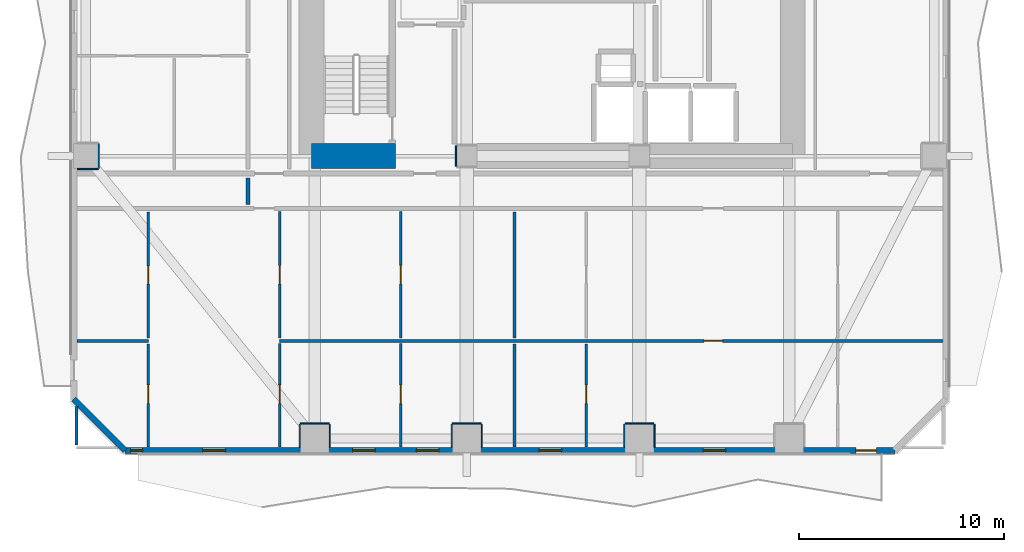
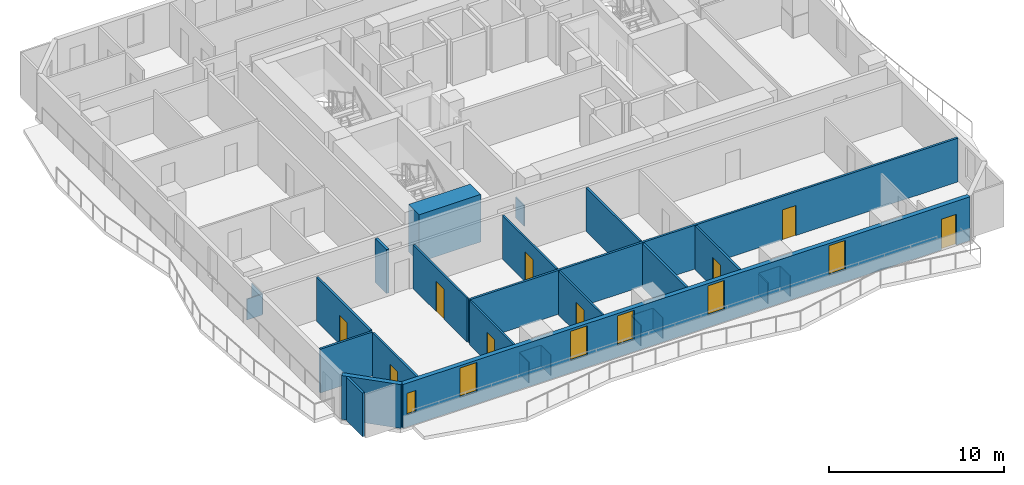
# One storey, part 2 of 11: 28 walls, 9 doors, 6 windows, 15 openings.
"""IFC4 building model written with IfcOpenShell, lengths in metres."""

from ifc_helpers import new_model, si_unit, direction, frame, frame_2d, origin, place, context, subcontext, project, spatial, rectangle, extrude, material, layer, layer_set, type_object, element, fill, save


model = new_model("IFC4")

# Units and contexts
model_context = context("Model", 3, precision=1e-05, world=origin(), true_north=direction((0.0, 1.0)))
body_context = subcontext(model_context, "Body", "Model", "MODEL_VIEW")
ifc_project = project(units=[si_unit("LENGTHUNIT", "METRE"), si_unit("AREAUNIT", "SQUARE_METRE"), si_unit("VOLUMEUNIT", "CUBIC_METRE"), si_unit("PLANEANGLEUNIT", "RADIAN"), si_unit("MASSUNIT", "GRAM", prefix="KILO")], contexts=[model_context])

# Site, building, storey
site_placement = place(None, origin())
site = spatial("IfcSite", under=ifc_project, at=site_placement, CompositionType="ELEMENT")
building_placement = place(site_placement, origin())
building = spatial("IfcBuilding", under=site, at=building_placement, Name="Solanera Arch Residences", CompositionType="ELEMENT")
storey_placement = place(building_placement, frame((0.0, 0.0, 35.280029296875)))
storey = spatial("IfcBuildingStorey", under=building, at=storey_placement, Name="L09", CompositionType="ELEMENT", Elevation=35.280029296875)

# Walls
ifc_material_1 = material(Name="Fire-Rated Gypsum Stud Partition", Category="gypsum")
ifc_layer_1 = layer(ifc_material_1, 0.06005859375)
ifc_layer_set_1 = layer_set([ifc_layer_1], Name="Fire-Rated Gypsum Stud Partition")
wall_type_1 = type_object("IfcWallType", Name="Column Acoustic Furring Wall 60", PredefinedType="PARTITIONING", material=ifc_layer_set_1)
wall_1_placement = place(storey_placement, frame((20.26806640625, 21.5, 0.0), z_axis=(0.0, 0.0, 1.0), x_axis=(0.0, 1.0, 0.0)))
element("IfcWall", 1, at=wall_1_placement, inside=storey, type_object=wall_type_1, Name="L09 Column Furring 1W", PredefinedType="PARTITIONING", context=body_context, shape_type="SweptSolid", body=[
    extrude(rectangle(XDim=1.0, YDim=0.06005859375, at=frame_2d((0.5, 0.0))), origin(), (0.0, 0.0, 1.0), 1.449951171875),
])
wall_2_placement = place(storey_placement, frame((12.699951171875, 8.98193359375, 0.0), z_axis=(0.0, 0.0, 1.0), x_axis=(1.0, 0.0, 0.0)))
element("IfcWall", 2, at=wall_2_placement, inside=storey, type_object=wall_type_1, Name="L09 Column Furring 9N", PredefinedType="PARTITIONING", context=body_context, shape_type="SweptSolid", body=[
    extrude(rectangle(XDim=1.400146484375, YDim=0.06005859375, at=frame_2d((0.7001953125, 0.0))), origin(), (0.0, 0.0, 1.0), 1.449951171875),
])
for number, where, z_axis, x_axis, name in (
    (3, (12.66796875, 7.830078125, 0.0), (0.0, 0.0, 1.0), (0.0, 1.0, 0.0), "L09 Column Furring 9W"),
    (4, (14.132080078125, 7.830078125, 0.0), (0.0, 0.0, 1.0), (0.0, 1.0, 0.0), "L09 Column Furring 9E"),
):
    element("IfcWall", number, at=place(storey_placement, frame(where, z_axis=z_axis, x_axis=x_axis)), inside=storey, type_object=wall_type_1, Name=name, PredefinedType="PARTITIONING", context=body_context, shape_type="SweptSolid", body=[
        extrude(rectangle(XDim=1.119873046875, YDim=0.06005859375, at=frame_2d((0.56005859375, 0.0))), origin(), (0.0, 0.0, 1.0), 1.449951171875),
    ])
wall_3_placement = place(storey_placement, frame((20.10009765625, 8.98193359375, 0.0), z_axis=(0.0, 0.0, 1.0), x_axis=(1.0, 0.0, 0.0)))
element("IfcWall", 5, at=wall_3_placement, inside=storey, type_object=wall_type_1, Name="L09 Column Furring 11N", PredefinedType="PARTITIONING", context=body_context, shape_type="SweptSolid", body=[
    extrude(rectangle(XDim=1.39990234375, YDim=0.06005859375, at=frame_2d((0.699951171875, 0.0))), origin(), (0.0, 0.0, 1.0), 1.449951171875),
])
for number, where, z_axis, x_axis, name in (
    (6, (20.068115234375, 7.830078125, 0.0), (0.0, 0.0, 1.0), (0.0, 1.0, 0.0), "L09 Column Furring 11W"),
    (7, (21.531982421875, 7.830078125, 0.0), (0.0, 0.0, 1.0), (0.0, 1.0, 0.0), "L09 Column Furring 11E"),
):
    element("IfcWall", number, at=place(storey_placement, frame(where, z_axis=z_axis, x_axis=x_axis)), inside=storey, type_object=wall_type_1, Name=name, PredefinedType="PARTITIONING", context=body_context, shape_type="SweptSolid", body=[
        extrude(rectangle(XDim=1.119873046875, YDim=0.06005859375, at=frame_2d((0.56005859375, 0.0))), origin(), (0.0, 0.0, 1.0), 1.449951171875),
    ])
wall_4_placement = place(storey_placement, frame((28.5, 8.98193359375, 0.0), z_axis=(0.0, 0.0, 1.0), x_axis=(1.0, 0.0, 0.0)))
element("IfcWall", 8, at=wall_4_placement, inside=storey, type_object=wall_type_1, Name="L09 Column Furring 13N", PredefinedType="PARTITIONING", context=body_context, shape_type="SweptSolid", body=[
    extrude(rectangle(XDim=1.39990234375, YDim=0.06005859375, at=frame_2d((0.699951171875, 0.0))), origin(), (0.0, 0.0, 1.0), 1.449951171875),
])
for number, where, z_axis, x_axis, name in (
    (9, (28.468017578125, 7.830078125, 0.0), (0.0, 0.0, 1.0), (0.0, 1.0, 0.0), "L09 Column Furring 13W"),
    (10, (29.931884765625, 7.830078125, 0.0), (0.0, 0.0, 1.0), (0.0, 1.0, 0.0), "L09 Column Furring 13E"),
):
    element("IfcWall", number, at=place(storey_placement, frame(where, z_axis=z_axis, x_axis=x_axis)), inside=storey, type_object=wall_type_1, Name=name, PredefinedType="PARTITIONING", context=body_context, shape_type="SweptSolid", body=[
        extrude(rectangle(XDim=1.119873046875, YDim=0.06005859375, at=frame_2d((0.56005859375, 0.0))), origin(), (0.0, 0.0, 1.0), 1.449951171875),
    ])
wall_5_placement = place(storey_placement, frame((1.830078125, 21.367919921875, 0.0), z_axis=(0.0, 0.0, 1.0), x_axis=(1.0, 0.0, 0.0)))
element("IfcWall", 11, at=wall_5_placement, inside=storey, type_object=wall_type_1, Name="L09 Column Furring 17S", PredefinedType="PARTITIONING", context=body_context, shape_type="SweptSolid", body=[
    extrude(rectangle(XDim=1.02001953125, YDim=0.06005859375, at=frame_2d((0.510009765625, 0.0))), origin(), (0.0, 0.0, 1.0), 1.449951171875),
])
wall_6_placement = place(storey_placement, frame((2.882080078125, 21.39990234375, 0.0), z_axis=(0.0, 0.0, 1.0), x_axis=(0.0, 1.0, 0.0)))
element("IfcWall", 12, at=wall_6_placement, inside=storey, type_object=wall_type_1, Name="L09 Column Furring 17E", PredefinedType="PARTITIONING", context=body_context, shape_type="SweptSolid", body=[
    extrude(rectangle(XDim=1.2001953125, YDim=0.06005859375, at=frame_2d((0.60009765625, 0.0))), origin(), (0.0, 0.0, 1.0), 1.449951171875),
])
ifc_material_2 = material(Name="Concrete C55/67 (f'c = 60 MPa)", Category="concrete")
ifc_layer_2 = layer(ifc_material_2, 1.199951171875)
ifc_layer_set_2 = layer_set([ifc_layer_2], Name="Concrete C55/67 (f'c = 60 MPa)")
wall_type_2 = type_object("IfcWallType", Name="Core Shear Wall CW-1200", PredefinedType="SHEAR", material=ifc_layer_set_2)
wall_7_placement = place(storey_placement, frame((13.239990234375, 22.0, 0.0), z_axis=(0.0, 0.0, 1.0), x_axis=(1.0, 0.0, 0.0)))
element("IfcWall", 13, at=wall_7_placement, inside=storey, type_object=wall_type_2, Name="L09 South-West Core Shear Wall", PredefinedType="SHEAR", context=body_context, shape_type="SweptSolid", body=[
    extrude(rectangle(XDim=4.080078125, YDim=1.199951171875, at=frame_2d((2.0400390625, 0.0))), origin(), (0.0, 0.0, 1.0), 3.320068359375),
])
ifc_material_3 = material(Name="Autoclaved Aerated Concrete Blockwork", Category="masonry")
ifc_layer_3 = layer(ifc_material_3, 0.179931640625)
ifc_layer_set_3 = layer_set([ifc_layer_3], Name="Autoclaved Aerated Concrete Blockwork")
wall_type_3 = type_object("IfcWallType", Name="Corridor Fire Partition 180", PredefinedType="PARTITIONING", material=ifc_layer_set_3)
wall_8_placement = place(storey_placement, frame((10.14990234375, 19.637939453125, 0.0), z_axis=(0.0, 0.0, 1.0), x_axis=(0.0, 1.0, 0.0)))
element("IfcWall", 14, at=wall_8_placement, inside=storey, type_object=wall_type_3, Name="L09 Interior Partition V8 1", PredefinedType="PARTITIONING", context=body_context, shape_type="SweptSolid", body=[
    extrude(rectangle(XDim=1.2939453125, YDim=0.179931640625, at=frame_2d((0.64697265625, 0.0))), origin(), (0.0, 0.0, 1.0), 3.06005859375),
])

# Wall, openings, door, windows
ifc_material_4 = material(Name="Precast Concrete C35/45", Category="concrete")
ifc_layer_4 = layer(ifc_material_4, 0.300048828125)
ifc_layer_set_4 = layer_set([ifc_layer_4], Name="Precast Concrete C35/45")
wall_type_4 = type_object("IfcWallType", Name="Exterior Wall Precast Masonry-Frame 300", PredefinedType="STANDARD", material=ifc_layer_set_4)
wall_9_placement = place(storey_placement, frame((41.635009765625, 7.6650390625, 0.0), z_axis=(0.0, 0.0, 1.0), x_axis=(-1.0, 0.0, 0.0)))
wall_9 = element("IfcWall", 15, at=wall_9_placement, inside=storey, type_object=wall_type_4, Name="L09 Tower Exterior Precast Masonry-Frame Wall S", PredefinedType="STANDARD", context=body_context, shape_type="SweptSolid", body=[
    extrude(rectangle(XDim=37.469970703125, YDim=0.300048828125, at=frame_2d((18.73486328125, 0.0))), origin(), (0.0, 0.0, 1.0), 3.06005859375),
])
opening_1_placement = place(wall_9_placement, frame((0.90087890625, 0.0, 0.0)))
opening_1 = element("IfcOpeningElement", 16, at=opening_1_placement, cuts=wall_9, Name="Opening DB-01", PredefinedType="OPENING", context=body_context, shape_type="SweptSolid", body=[
    extrude(rectangle(XDim=1.0, YDim=2.14990234375, at=frame_2d((0.5, 1.074951171875))), frame((0.0, 0.159912109375, 0.0), z_axis=(0.0, -1.0, 0.0), x_axis=(1.0, 0.0, 0.0)), (0.0, 0.0, 1.0), 0.32),
])
opening_2_placement = place(wall_9_placement, frame((32.594970703125, 0.0, 0.85009765625)))
opening_2 = element("IfcOpeningElement", 17, at=opening_2_placement, cuts=wall_9, Name="Opening W-11", PredefinedType="OPENING", context=body_context, shape_type="SweptSolid", body=[
    extrude(rectangle(XDim=1.10009765625, YDim=2.050048828125, at=frame_2d((0.550048828125, 1.02490234375))), frame((0.0, 0.159912109375, 0.0), z_axis=(0.0, -1.0, 0.0), x_axis=(1.0, 0.0, 0.0)), (0.0, 0.0, 1.0), 0.32),
])
opening_3_placement = place(wall_9_placement, frame((36.62109375, 0.0, 0.85009765625)))
opening_3 = element("IfcOpeningElement", 18, at=opening_3_placement, cuts=wall_9, Name="Opening W-14", PredefinedType="OPENING", context=body_context, shape_type="SweptSolid", body=[
    extrude(rectangle(XDim=0.580078125, YDim=1.5, at=frame_2d((0.2900390625, 0.75))), frame((0.0, 0.159912109375, 0.0), z_axis=(0.0, -1.0, 0.0), x_axis=(1.0, 0.0, 0.0)), (0.0, 0.0, 1.0), 0.32),
])
opening_4_placement = place(wall_9_placement, frame((25.294921875, 0.0, 0.85009765625)))
opening_4 = element("IfcOpeningElement", 19, at=opening_4_placement, cuts=wall_9, Name="Opening W-11", PredefinedType="OPENING", context=body_context, shape_type="SweptSolid", body=[
    extrude(rectangle(XDim=1.10009765625, YDim=2.050048828125, at=frame_2d((0.550048828125, 1.02490234375))), frame((0.0, 0.159912109375, 0.0), z_axis=(0.0, -1.0, 0.0), x_axis=(1.0, 0.0, 0.0)), (0.0, 0.0, 1.0), 0.32),
])
opening_5_placement = place(wall_9_placement, frame((22.195068359375, 0.0, 0.85009765625)))
opening_5 = element("IfcOpeningElement", 20, at=opening_5_placement, cuts=wall_9, Name="Opening W-11", PredefinedType="OPENING", context=body_context, shape_type="SweptSolid", body=[
    extrude(rectangle(XDim=1.10009765625, YDim=2.050048828125, at=frame_2d((0.550048828125, 1.02490234375))), frame((0.0, 0.159912109375, 0.0), z_axis=(0.0, -1.0, 0.0), x_axis=(1.0, 0.0, 0.0)), (0.0, 0.0, 1.0), 0.32),
])
opening_6_placement = place(wall_9_placement, frame((8.235107421875, 0.0, 0.85009765625)))
opening_6 = element("IfcOpeningElement", 21, at=opening_6_placement, cuts=wall_9, Name="Opening W-11", PredefinedType="OPENING", context=body_context, shape_type="SweptSolid", body=[
    extrude(rectangle(XDim=1.10009765625, YDim=2.050048828125, at=frame_2d((0.550048828125, 1.02490234375))), frame((0.0, 0.159912109375, 0.0), z_axis=(0.0, -1.0, 0.0), x_axis=(1.0, 0.0, 0.0)), (0.0, 0.0, 1.0), 0.32),
])
opening_7_placement = place(wall_9_placement, frame((16.218994140625, 0.0, 0.85009765625)))
opening_7 = element("IfcOpeningElement", 22, at=opening_7_placement, cuts=wall_9, Name="Opening W-11", PredefinedType="OPENING", context=body_context, shape_type="SweptSolid", body=[
    extrude(rectangle(XDim=1.10009765625, YDim=2.050048828125, at=frame_2d((0.550048828125, 1.02490234375))), frame((0.0, 0.159912109375, 0.0), z_axis=(0.0, -1.0, 0.0), x_axis=(1.0, 0.0, 0.0)), (0.0, 0.0, 1.0), 0.32),
])
ifc_material_5 = material(Name="Anodised Aluminium Alloy 6063-T6", Category="aluminium")
door_type_1 = type_object("IfcDoorType", Name="Glazed Balcony Swing Door DB-01", OperationType="NOTDEFINED", PredefinedType="DOOR", material=ifc_material_5)
door_1_placement = place(opening_1_placement, origin())
door_1 = element("IfcDoor", 23, at=door_1_placement, inside=storey, type_object=door_type_1, Name="DR-L09-OUT-01", OperationType="SINGLE_SWING_LEFT", OverallHeight=2.14990234375, OverallWidth=1.0, PredefinedType="DOOR", context=body_context, shape_type="SweptSolid", body=[
    extrude(rectangle(XDim=1.0, YDim=2.14990234375, at=frame_2d((0.5, 1.074951171875))), frame((0.0, 0.02490234375, 0.0), z_axis=(0.0, -1.0, 0.0), x_axis=(1.0, 0.0, 0.0)), (0.0, 0.0, 1.0), 0.050048828125),
])
fill(opening_1, door_1)
ifc_material_6 = material(Name="Double Glazed Low-E Laminated Glass", Category="glass")
window_type_1 = type_object("IfcWindowType", Name="Punched Window W-11", PartitioningType="SINGLE_PANEL", PredefinedType="WINDOW", material=ifc_material_6)
window_1_placement = place(opening_2_placement, origin())
window_1 = element("IfcWindow", 24, at=window_1_placement, inside=storey, type_object=window_type_1, Name="L09 0901-LIV Punched Window", OverallHeight=2.050048828125, OverallWidth=1.10009765625, PartitioningType="SINGLE_PANEL", PredefinedType="WINDOW", context=body_context, shape_type="SweptSolid", body=[
    extrude(rectangle(XDim=1.10009765625, YDim=2.050048828125, at=frame_2d((0.550048828125, 1.02490234375))), frame((0.0, 0.030029296875, 0.0), z_axis=(0.0, -1.0, 0.0), x_axis=(1.0, 0.0, 0.0)), (0.0, 0.0, 1.0), 0.06005859375),
])
fill(opening_2, window_1)
window_2_placement = place(opening_4_placement, origin())
window_2 = element("IfcWindow", 25, at=window_2_placement, inside=storey, type_object=window_type_1, Name="L09 0901-BR2 Punched Window", OverallHeight=2.050048828125, OverallWidth=1.10009765625, PartitioningType="SINGLE_PANEL", PredefinedType="WINDOW", context=body_context, shape_type="SweptSolid", body=[
    extrude(rectangle(XDim=1.10009765625, YDim=2.050048828125, at=frame_2d((0.550048828125, 1.02490234375))), frame((0.0, 0.030029296875, 0.0), z_axis=(0.0, -1.0, 0.0), x_axis=(1.0, 0.0, 0.0)), (0.0, 0.0, 1.0), 0.06005859375),
])
fill(opening_4, window_2)
window_3_placement = place(opening_5_placement, origin())
window_3 = element("IfcWindow", 26, at=window_3_placement, inside=storey, type_object=window_type_1, Name="L09 0901-BR3 Punched Window", OverallHeight=2.050048828125, OverallWidth=1.10009765625, PartitioningType="SINGLE_PANEL", PredefinedType="WINDOW", context=body_context, shape_type="SweptSolid", body=[
    extrude(rectangle(XDim=1.10009765625, YDim=2.050048828125, at=frame_2d((0.550048828125, 1.02490234375))), frame((0.0, 0.030029296875, 0.0), z_axis=(0.0, -1.0, 0.0), x_axis=(1.0, 0.0, 0.0)), (0.0, 0.0, 1.0), 0.06005859375),
])
fill(opening_5, window_3)
window_4_placement = place(opening_6_placement, origin())
window_4 = element("IfcWindow", 27, at=window_4_placement, inside=storey, type_object=window_type_1, Name="L09 0902-LIV Punched Window", OverallHeight=2.050048828125, OverallWidth=1.10009765625, PartitioningType="SINGLE_PANEL", PredefinedType="WINDOW", context=body_context, shape_type="SweptSolid", body=[
    extrude(rectangle(XDim=1.10009765625, YDim=2.050048828125, at=frame_2d((0.550048828125, 1.02490234375))), frame((0.0, 0.030029296875, 0.0), z_axis=(0.0, -1.0, 0.0), x_axis=(1.0, 0.0, 0.0)), (0.0, 0.0, 1.0), 0.06005859375),
])
fill(opening_6, window_4)
window_5_placement = place(opening_7_placement, origin())
window_5 = element("IfcWindow", 28, at=window_5_placement, inside=storey, type_object=window_type_1, Name="L09 0902-BR1 Punched Window", OverallHeight=2.050048828125, OverallWidth=1.10009765625, PartitioningType="SINGLE_PANEL", PredefinedType="WINDOW", context=body_context, shape_type="SweptSolid", body=[
    extrude(rectangle(XDim=1.10009765625, YDim=2.050048828125, at=frame_2d((0.550048828125, 1.02490234375))), frame((0.0, 0.030029296875, 0.0), z_axis=(0.0, -1.0, 0.0), x_axis=(1.0, 0.0, 0.0)), (0.0, 0.0, 1.0), 0.06005859375),
])
fill(opening_7, window_5)
ifc_material_7 = material(Name="Double Glazed Low-E Laminated Glass", Category="glass")
window_type_2 = type_object("IfcWindowType", Name="Punched Window W-14", PartitioningType="SINGLE_PANEL", PredefinedType="WINDOW", material=ifc_material_7)
window_6_placement = place(opening_3_placement, origin())
window_6 = element("IfcWindow", 29, at=window_6_placement, inside=storey, type_object=window_type_2, Name="L09 0901-BR1 Punched Window", OverallHeight=1.5, OverallWidth=0.580078125, PartitioningType="SINGLE_PANEL", PredefinedType="WINDOW", context=body_context, shape_type="SweptSolid", body=[
    extrude(rectangle(XDim=0.580078125, YDim=1.5, at=frame_2d((0.2900390625, 0.75))), frame((0.0, 0.030029296875, 0.0), z_axis=(0.0, -1.0, 0.0), x_axis=(1.0, 0.0, 0.0)), (0.0, 0.0, 1.0), 0.06005859375),
])
fill(opening_3, window_6)

# Wall
wall_10_placement = place(storey_placement, frame((4.1650390625, 7.6650390625, 0.0), z_axis=(0.0, 0.0, 1.0), x_axis=(-0.707106781187, 0.707106781187, 0.0)))
element("IfcWall", 30, at=wall_10_placement, inside=storey, type_object=wall_type_4, Name="L09 Tower Exterior Precast Masonry-Frame Wall CH7", PredefinedType="STANDARD", context=body_context, shape_type="SweptSolid", body=[
    extrude(rectangle(XDim=3.53564453125, YDim=0.300048828125, at=frame_2d((1.767822265625, 0.0))), origin(), (0.0, 0.0, 1.0), 3.06005859375),
])

# Wall, opening, door
ifc_material_8 = material(Name="Fire-Rated Gypsum Stud Partition", Category="gypsum")
ifc_layer_5 = layer(ifc_material_8, 0.1201171875)
ifc_layer_set_5 = layer_set([ifc_layer_5], Name="Fire-Rated Gypsum Stud Partition")
wall_type_5 = type_object("IfcWallType", Name="Unit Drywall Partition 120", PredefinedType="PARTITIONING", material=ifc_layer_set_5)
wall_11_placement = place(storey_placement, frame((11.68798828125, 7.826904296875, 0.0), z_axis=(0.0, 0.0, 1.0), x_axis=(0.0, 1.0, 0.0)))
wall_11 = element("IfcWall", 31, at=wall_11_placement, inside=storey, type_object=wall_type_5, Name="L09 Interior Partition V22 1", PredefinedType="PARTITIONING", context=body_context, shape_type="SweptSolid", body=[
    extrude(rectangle(XDim=5.03515625, YDim=0.1201171875, at=frame_2d((2.517578125, 0.0))), origin(), (0.0, 0.0, 1.0), 3.06005859375),
])
opening_8_placement = place(wall_11_placement, frame((2.135986328125, 0.0, 0.0)))
opening_8 = element("IfcOpeningElement", 32, at=opening_8_placement, cuts=wall_11, Name="Opening DI-03", PredefinedType="OPENING", context=body_context, shape_type="SweptSolid", body=[
    extrude(rectangle(XDim=0.89990234375, YDim=2.10009765625, at=frame_2d((0.449951171875, 1.050048828125))), frame((0.0, 0.070068359375, 0.0), z_axis=(0.0, -1.0, 0.0), x_axis=(1.0, 0.0, 0.0)), (0.0, 0.0, 1.0), 0.1401),
])
ifc_material_9 = material(Name="Fire-Rated Architectural Hardwood", Category="wood")
door_type_2 = type_object("IfcDoorType", Name="Bedroom Swing Door DI-03", OperationType="NOTDEFINED", PredefinedType="DOOR", material=ifc_material_9)
door_2_placement = place(opening_8_placement, origin())
door_2 = element("IfcDoor", 33, at=door_2_placement, inside=storey, type_object=door_type_2, Name="DR-L09-IN-020", OperationType="SINGLE_SWING_LEFT", OverallHeight=2.10009765625, OverallWidth=0.89990234375, PredefinedType="DOOR", context=body_context, shape_type="SweptSolid", body=[
    extrude(rectangle(XDim=0.89990234375, YDim=2.10009765625, at=frame_2d((0.449951171875, 1.050048828125))), frame((0.0, 0.02490234375, 0.0), z_axis=(0.0, -1.0, 0.0), x_axis=(1.0, 0.0, 0.0)), (0.0, 0.0, 1.0), 0.050048828125),
])
fill(opening_8, door_2)

wall_12_placement = place(storey_placement, frame((11.68798828125, 13.137939453125, 0.0), z_axis=(0.0, 0.0, 1.0), x_axis=(0.0, 1.0, 0.0)))
wall_12 = element("IfcWall", 34, at=wall_12_placement, inside=storey, type_object=wall_type_5, Name="L09 Interior Partition V22 2", PredefinedType="PARTITIONING", context=body_context, shape_type="SweptSolid", body=[
    extrude(rectangle(XDim=6.154052734375, YDim=0.1201171875, at=frame_2d((3.0771484375, 0.0))), origin(), (0.0, 0.0, 1.0), 3.06005859375),
])
opening_9_placement = place(wall_12_placement, frame((2.6240234375, 0.0, 0.0)))
opening_9 = element("IfcOpeningElement", 35, at=opening_9_placement, cuts=wall_12, Name="Opening DI-02", PredefinedType="OPENING", context=body_context, shape_type="SweptSolid", body=[
    extrude(rectangle(XDim=0.89990234375, YDim=2.10009765625, at=frame_2d((0.449951171875, 1.050048828125))), frame((0.0, 0.070068359375, 0.0), z_axis=(0.0, -1.0, 0.0), x_axis=(1.0, 0.0, 0.0)), (0.0, 0.0, 1.0), 0.1401),
])
ifc_material_10 = material(Name="Fire-Rated Architectural Hardwood", Category="wood")
door_type_3 = type_object("IfcDoorType", Name="Suite Room Swing Door DI-02", OperationType="NOTDEFINED", PredefinedType="DOOR", material=ifc_material_10)
door_3_placement = place(opening_9_placement, origin())
door_3 = element("IfcDoor", 36, at=door_3_placement, inside=storey, type_object=door_type_3, Name="DR-L09-IN-018", OperationType="SINGLE_SWING_LEFT", OverallHeight=2.10009765625, OverallWidth=0.89990234375, PredefinedType="DOOR", context=body_context, shape_type="SweptSolid", body=[
    extrude(rectangle(XDim=0.89990234375, YDim=2.10009765625, at=frame_2d((0.449951171875, 1.050048828125))), frame((0.0, 0.02490234375, 0.0), z_axis=(0.0, -1.0, 0.0), x_axis=(1.0, 0.0, 0.0)), (0.0, 0.0, 1.0), 0.050048828125),
])
fill(opening_9, door_3)

wall_13_placement = place(storey_placement, frame((17.5791015625, 7.826904296875, 0.0), z_axis=(0.0, 0.0, 1.0), x_axis=(0.0, 1.0, 0.0)))
wall_13 = element("IfcWall", 37, at=wall_13_placement, inside=storey, type_object=wall_type_5, Name="L09 Interior Partition V24 1", PredefinedType="PARTITIONING", context=body_context, shape_type="SweptSolid", body=[
    extrude(rectangle(XDim=5.03515625, YDim=0.1201171875, at=frame_2d((2.517578125, 0.0))), origin(), (0.0, 0.0, 1.0), 3.06005859375),
])
opening_10_placement = place(wall_13_placement, frame((2.123046875, 0.0, 0.0)))
opening_10 = element("IfcOpeningElement", 38, at=opening_10_placement, cuts=wall_13, Name="Opening DI-03", PredefinedType="OPENING", context=body_context, shape_type="SweptSolid", body=[
    extrude(rectangle(XDim=0.89990234375, YDim=2.10009765625, at=frame_2d((0.449951171875, 1.050048828125))), frame((0.0, 0.070068359375, 0.0), z_axis=(0.0, -1.0, 0.0), x_axis=(1.0, 0.0, 0.0)), (0.0, 0.0, 1.0), 0.1401),
])
door_4_placement = place(opening_10_placement, origin())
door_4 = element("IfcDoor", 39, at=door_4_placement, inside=storey, type_object=door_type_2, Name="DR-L09-IN-021", OperationType="SINGLE_SWING_RIGHT", OverallHeight=2.10009765625, OverallWidth=0.89990234375, PredefinedType="DOOR", context=body_context, shape_type="SweptSolid", body=[
    extrude(rectangle(XDim=0.89990234375, YDim=2.10009765625, at=frame_2d((0.449951171875, 1.050048828125))), frame((0.0, 0.02490234375, 0.0), z_axis=(0.0, -1.0, 0.0), x_axis=(1.0, 0.0, 0.0)), (0.0, 0.0, 1.0), 0.050048828125),
])
fill(opening_10, door_4)

wall_14_placement = place(storey_placement, frame((17.5791015625, 13.137939453125, 0.0), z_axis=(0.0, 0.0, 1.0), x_axis=(0.0, 1.0, 0.0)))
wall_14 = element("IfcWall", 40, at=wall_14_placement, inside=storey, type_object=wall_type_5, Name="L09 Interior Partition V24 2", PredefinedType="PARTITIONING", context=body_context, shape_type="SweptSolid", body=[
    extrude(rectangle(XDim=6.154052734375, YDim=0.1201171875, at=frame_2d((3.0771484375, 0.0))), origin(), (0.0, 0.0, 1.0), 3.06005859375),
])
opening_11_placement = place(wall_14_placement, frame((2.636962890625, 0.0, 0.0)))
opening_11 = element("IfcOpeningElement", 41, at=opening_11_placement, cuts=wall_14, Name="Opening DI-02", PredefinedType="OPENING", context=body_context, shape_type="SweptSolid", body=[
    extrude(rectangle(XDim=0.89990234375, YDim=2.10009765625, at=frame_2d((0.449951171875, 1.050048828125))), frame((0.0, 0.070068359375, 0.0), z_axis=(0.0, -1.0, 0.0), x_axis=(1.0, 0.0, 0.0)), (0.0, 0.0, 1.0), 0.1401),
])
door_5_placement = place(opening_11_placement, origin())
door_5 = element("IfcDoor", 42, at=door_5_placement, inside=storey, type_object=door_type_3, Name="DR-L09-IN-019", OperationType="SINGLE_SWING_RIGHT", OverallHeight=2.10009765625, OverallWidth=0.89990234375, PredefinedType="DOOR", context=body_context, shape_type="SweptSolid", body=[
    extrude(rectangle(XDim=0.89990234375, YDim=2.10009765625, at=frame_2d((0.449951171875, 1.050048828125))), frame((0.0, 0.02490234375, 0.0), z_axis=(0.0, -1.0, 0.0), x_axis=(1.0, 0.0, 0.0)), (0.0, 0.0, 1.0), 0.050048828125),
])
fill(opening_11, door_5)

# Wall
ifc_material_11 = material(Name="Autoclaved Aerated Concrete Blockwork", Category="masonry")
ifc_layer_6 = layer(ifc_material_11, 0.139892578125)
ifc_layer_set_6 = layer_set([ifc_layer_6], Name="Autoclaved Aerated Concrete Blockwork")
wall_type_6 = type_object("IfcWallType", Name="Wet-Room Partition 140", PredefinedType="PARTITIONING", material=ifc_layer_set_6)
wall_15_placement = place(storey_placement, frame((1.826904296875, 13.0, 0.0), z_axis=(0.0, 0.0, 1.0), x_axis=(1.0, 0.0, 0.0)))
element("IfcWall", 43, at=wall_15_placement, inside=storey, type_object=wall_type_6, Name="L09 Interior Partition H13", PredefinedType="PARTITIONING", context=body_context, shape_type="SweptSolid", body=[
    extrude(rectangle(XDim=3.465087890625, YDim=0.139892578125, at=frame_2d((1.732421875, 0.0))), origin(), (0.0, 0.0, 1.0), 3.06005859375),
])

# Wall, opening, door
wall_16_placement = place(storey_placement, frame((11.68798828125, 13.0, 0.0), z_axis=(0.0, 0.0, 1.0), x_axis=(1.0, 0.0, 0.0)))
wall_16 = element("IfcWall", 44, at=wall_16_placement, inside=storey, type_object=wall_type_6, Name="L09 Interior Partition H14", PredefinedType="PARTITIONING", context=body_context, shape_type="SweptSolid", body=[
    extrude(rectangle(XDim=32.284912109375, YDim=0.139892578125, at=frame_2d((16.142578125, 0.0))), origin(), (0.0, 0.0, 1.0), 3.06005859375),
])
opening_12_placement = place(wall_16_placement, frame((20.6640625, 0.0, 0.0)))
opening_12 = element("IfcOpeningElement", 45, at=opening_12_placement, cuts=wall_16, Name="Opening DI-02", PredefinedType="OPENING", context=body_context, shape_type="SweptSolid", body=[
    extrude(rectangle(XDim=0.89990234375, YDim=2.10009765625, at=frame_2d((0.449951171875, 1.050048828125))), frame((0.0, 0.079833984375, 0.0), z_axis=(0.0, -1.0, 0.0), x_axis=(1.0, 0.0, 0.0)), (0.0, 0.0, 1.0), 0.1599),
])
door_6_placement = place(opening_12_placement, origin())
door_6 = element("IfcDoor", 46, at=door_6_placement, inside=storey, type_object=door_type_3, Name="DR-L09-IN-023", OperationType="SINGLE_SWING_RIGHT", OverallHeight=2.10009765625, OverallWidth=0.89990234375, PredefinedType="DOOR", context=body_context, shape_type="SweptSolid", body=[
    extrude(rectangle(XDim=0.89990234375, YDim=2.10009765625, at=frame_2d((0.449951171875, 1.050048828125))), frame((0.0, 0.02490234375, 0.0), z_axis=(0.0, -1.0, 0.0), x_axis=(1.0, 0.0, 0.0)), (0.0, 0.0, 1.0), 0.050048828125),
])
fill(opening_12, door_6)

# Wall
wall_17_placement = place(storey_placement, frame((1.800048828125, 7.93798828125, 0.0), z_axis=(0.0, 0.0, 1.0), x_axis=(0.0, 1.0, 0.0)))
element("IfcWall", 47, at=wall_17_placement, inside=storey, type_object=wall_type_6, Name="L09 Interior Partition V11", PredefinedType="PARTITIONING", context=body_context, shape_type="SweptSolid", body=[
    extrude(rectangle(XDim=1.863037109375, YDim=0.139892578125, at=frame_2d((0.931640625, 0.0))), origin(), (0.0, 0.0, 1.0), 3.06005859375),
])

# Wall, opening, door
wall_18_placement = place(storey_placement, frame((5.2919921875, 7.826904296875, 0.0), z_axis=(0.0, 0.0, 1.0), x_axis=(0.0, 1.0, 0.0)))
wall_18 = element("IfcWall", 48, at=wall_18_placement, inside=storey, type_object=wall_type_6, Name="L09 Interior Partition V14 1", PredefinedType="PARTITIONING", context=body_context, shape_type="SweptSolid", body=[
    extrude(rectangle(XDim=5.025146484375, YDim=0.139892578125, at=frame_2d((2.5126953125, 0.0))), origin(), (0.0, 0.0, 1.0), 3.06005859375),
])
opening_13_placement = place(wall_18_placement, frame((2.135986328125, 0.0, 0.0)))
opening_13 = element("IfcOpeningElement", 49, at=opening_13_placement, cuts=wall_18, Name="Opening DI-03", PredefinedType="OPENING", context=body_context, shape_type="SweptSolid", body=[
    extrude(rectangle(XDim=0.89990234375, YDim=2.10009765625, at=frame_2d((0.449951171875, 1.050048828125))), frame((0.0, 0.079833984375, 0.0), z_axis=(0.0, -1.0, 0.0), x_axis=(1.0, 0.0, 0.0)), (0.0, 0.0, 1.0), 0.1599),
])
door_7_placement = place(opening_13_placement, origin())
door_7 = element("IfcDoor", 50, at=door_7_placement, inside=storey, type_object=door_type_2, Name="DR-L09-IN-017", OperationType="SINGLE_SWING_RIGHT", OverallHeight=2.10009765625, OverallWidth=0.89990234375, PredefinedType="DOOR", context=body_context, shape_type="SweptSolid", body=[
    extrude(rectangle(XDim=0.89990234375, YDim=2.10009765625, at=frame_2d((0.449951171875, 1.050048828125))), frame((0.0, 0.02490234375, 0.0), z_axis=(0.0, -1.0, 0.0), x_axis=(1.0, 0.0, 0.0)), (0.0, 0.0, 1.0), 0.050048828125),
])
fill(opening_13, door_7)

wall_19_placement = place(storey_placement, frame((5.2919921875, 13.14794921875, 0.0), z_axis=(0.0, 0.0, 1.0), x_axis=(0.0, 1.0, 0.0)))
wall_19 = element("IfcWall", 51, at=wall_19_placement, inside=storey, type_object=wall_type_6, Name="L09 Interior Partition V14 2", PredefinedType="PARTITIONING", context=body_context, shape_type="SweptSolid", body=[
    extrude(rectangle(XDim=6.134033203125, YDim=0.139892578125, at=frame_2d((3.06689453125, 0.0))), origin(), (0.0, 0.0, 1.0), 3.06005859375),
])
opening_14_placement = place(wall_19_placement, frame((2.634033203125, 0.0, 0.0)))
opening_14 = element("IfcOpeningElement", 52, at=opening_14_placement, cuts=wall_19, Name="Opening DI-05", PredefinedType="OPENING", context=body_context, shape_type="SweptSolid", body=[
    extrude(rectangle(XDim=0.860107421875, YDim=2.02001953125, at=frame_2d((0.43017578125, 1.010009765625))), frame((0.0, 0.079833984375, 0.0), z_axis=(0.0, -1.0, 0.0), x_axis=(1.0, 0.0, 0.0)), (0.0, 0.0, 1.0), 0.1599),
])
ifc_material_12 = material(Name="Fire-Rated Architectural Hardwood", Category="wood")
door_type_4 = type_object("IfcDoorType", Name="Bathroom Swing Door DI-05", OperationType="NOTDEFINED", PredefinedType="DOOR", material=ifc_material_12)
door_8_placement = place(opening_14_placement, origin())
door_8 = element("IfcDoor", 53, at=door_8_placement, inside=storey, type_object=door_type_4, Name="DR-L09-IN-016", OperationType="SINGLE_SWING_LEFT", OverallHeight=2.02001953125, OverallWidth=0.860107421875, PredefinedType="DOOR", context=body_context, shape_type="SweptSolid", body=[
    extrude(rectangle(XDim=0.860107421875, YDim=2.02001953125, at=frame_2d((0.43017578125, 1.010009765625))), frame((0.0, 0.02490234375, 0.0), z_axis=(0.0, -1.0, 0.0), x_axis=(1.0, 0.0, 0.0)), (0.0, 0.0, 1.0), 0.050048828125),
])
fill(opening_14, door_8)

# Walls
wall_20_placement = place(storey_placement, frame((23.1201171875, 7.826904296875, 0.0), z_axis=(0.0, 0.0, 1.0), x_axis=(0.0, 1.0, 0.0)))
element("IfcWall", 54, at=wall_20_placement, inside=storey, type_object=wall_type_6, Name="L09 Interior Partition V18 1", PredefinedType="PARTITIONING", context=body_context, shape_type="SweptSolid", body=[
    extrude(rectangle(XDim=5.025146484375, YDim=0.139892578125, at=frame_2d((2.5126953125, 0.0))), origin(), (0.0, 0.0, 1.0), 3.06005859375),
])
wall_21_placement = place(storey_placement, frame((23.1201171875, 13.14794921875, 0.0), z_axis=(0.0, 0.0, 1.0), x_axis=(0.0, 1.0, 0.0)))
element("IfcWall", 55, at=wall_21_placement, inside=storey, type_object=wall_type_6, Name="L09 Interior Partition V18 2", PredefinedType="PARTITIONING", context=body_context, shape_type="SweptSolid", body=[
    extrude(rectangle(XDim=6.134033203125, YDim=0.139892578125, at=frame_2d((3.06689453125, 0.0))), origin(), (0.0, 0.0, 1.0), 3.06005859375),
])

# Wall, opening, door
wall_22_placement = place(storey_placement, frame((26.612060546875, 7.826904296875, 0.0), z_axis=(0.0, 0.0, 1.0), x_axis=(0.0, 1.0, 0.0)))
wall_22 = element("IfcWall", 56, at=wall_22_placement, inside=storey, type_object=wall_type_6, Name="L09 Interior Partition V20 1", PredefinedType="PARTITIONING", context=body_context, shape_type="SweptSolid", body=[
    extrude(rectangle(XDim=5.025146484375, YDim=0.139892578125, at=frame_2d((2.5126953125, 0.0))), origin(), (0.0, 0.0, 1.0), 3.06005859375),
])
opening_15_placement = place(wall_22_placement, frame((2.123046875, 0.0, 0.0)))
opening_15 = element("IfcOpeningElement", 57, at=opening_15_placement, cuts=wall_22, Name="Opening DI-03", PredefinedType="OPENING", context=body_context, shape_type="SweptSolid", body=[
    extrude(rectangle(XDim=0.89990234375, YDim=2.10009765625, at=frame_2d((0.449951171875, 1.050048828125))), frame((0.0, 0.079833984375, 0.0), z_axis=(0.0, -1.0, 0.0), x_axis=(1.0, 0.0, 0.0)), (0.0, 0.0, 1.0), 0.1599),
])
door_9_placement = place(opening_15_placement, origin())
door_9 = element("IfcDoor", 58, at=door_9_placement, inside=storey, type_object=door_type_2, Name="DR-L09-IN-025", OperationType="SINGLE_SWING_RIGHT", OverallHeight=2.10009765625, OverallWidth=0.89990234375, PredefinedType="DOOR", context=body_context, shape_type="SweptSolid", body=[
    extrude(rectangle(XDim=0.89990234375, YDim=2.10009765625, at=frame_2d((0.449951171875, 1.050048828125))), frame((0.0, 0.02490234375, 0.0), z_axis=(0.0, -1.0, 0.0), x_axis=(1.0, 0.0, 0.0)), (0.0, 0.0, 1.0), 0.050048828125),
])
fill(opening_15, door_9)

save(model, "model.ifc")
